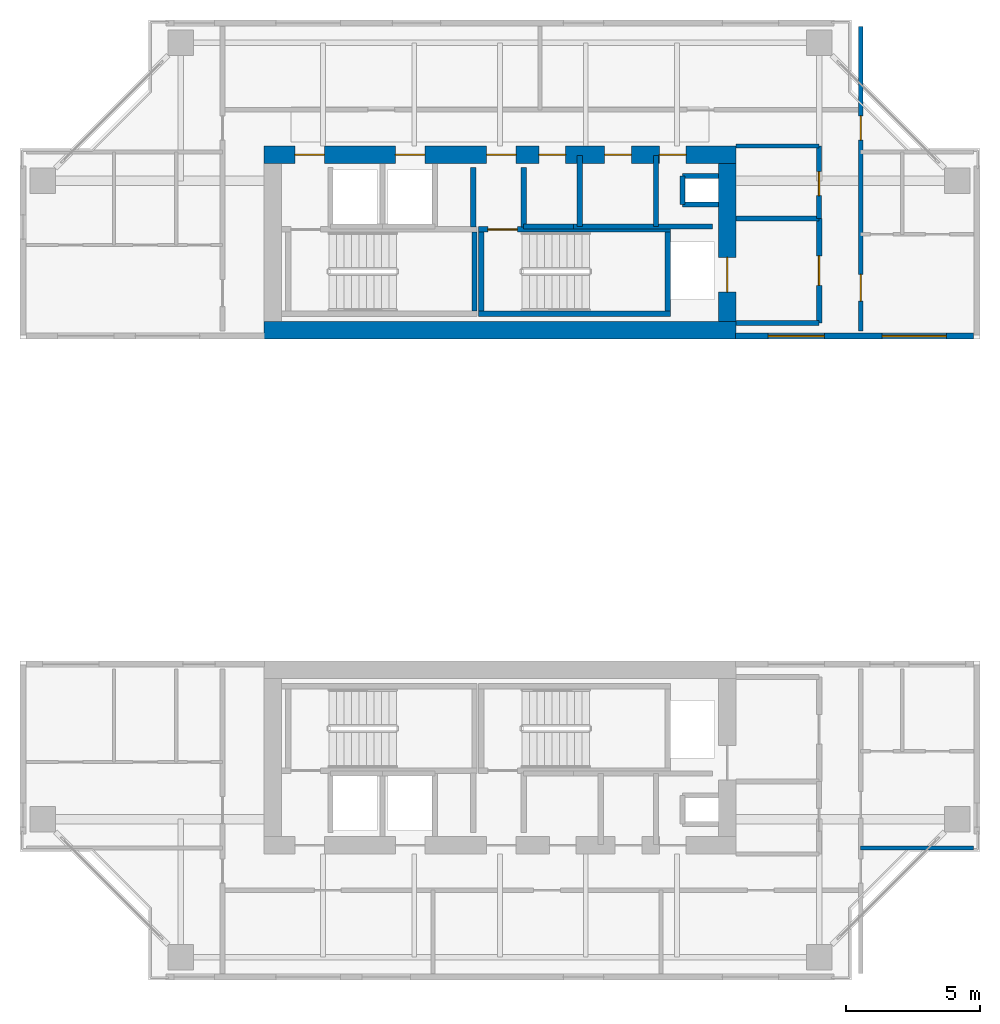
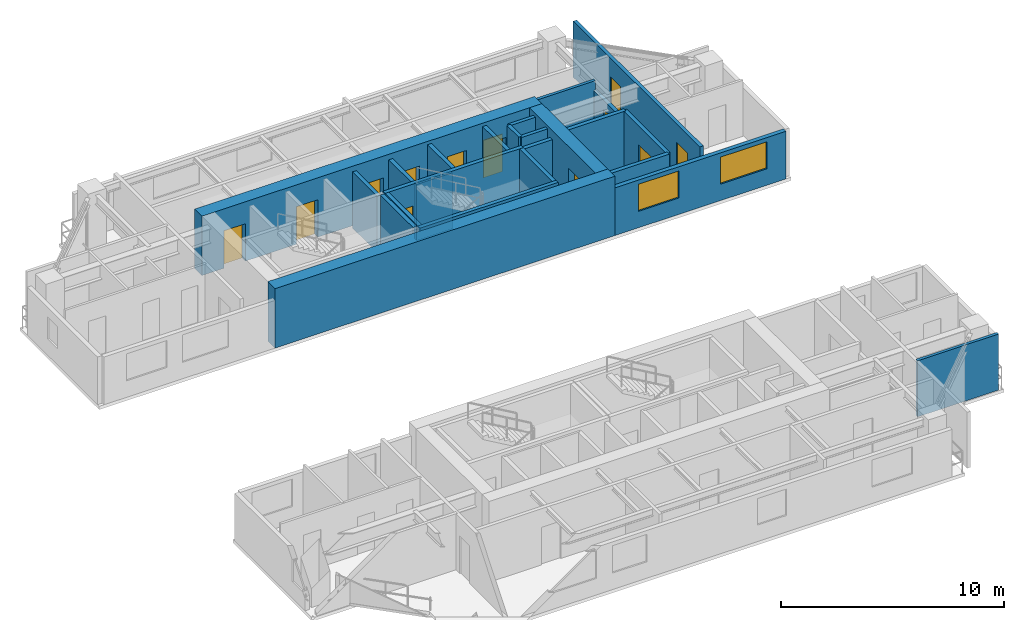
# One storey, part 9 of 12: 25 walls, 12 doors, 2 windows, 14 openings.
"""IFC4 building model written with IfcOpenShell, lengths in metres."""

from ifc_helpers import new_model, si_unit, direction, frame, frame_2d, origin, place, context, subcontext, project, spatial, rectangle, extrude, source, transform, mapped, material, layer, layer_set, type_object, element, fill, save


model = new_model("IFC4")

# Units and contexts
model_context = context("Model", 3, precision=1e-05, world=origin(), true_north=direction((0.0, 1.0)))
body_context = subcontext(model_context, "Body", "Model", "MODEL_VIEW")
ifc_project = project(units=[si_unit("LENGTHUNIT", "METRE"), si_unit("AREAUNIT", "SQUARE_METRE"), si_unit("VOLUMEUNIT", "CUBIC_METRE"), si_unit("PLANEANGLEUNIT", "RADIAN"), si_unit("MASSUNIT", "GRAM", prefix="KILO"), si_unit("THERMODYNAMICTEMPERATUREUNIT", "KELVIN"), si_unit("POWERUNIT", "WATT")], contexts=[model_context])

# Site, building, storey
site_placement = place(None, origin())
site = spatial("IfcSite", under=ifc_project, at=site_placement, CompositionType="ELEMENT")
building_placement = place(site_placement, origin())
building = spatial("IfcBuilding", under=site, at=building_placement, Name="Qiaomeng Ring Towers", CompositionType="ELEMENT")
storey_placement = place(building_placement, frame((0.0, 0.0, 160.0)))
storey = spatial("IfcBuildingStorey", under=building, at=storey_placement, Name="L46", CompositionType="ELEMENT", Elevation=160.0)

# Wall, openings, windows
ifc_material_1 = material(Name="Precast concrete C40", Category="concrete")
ifc_layer_1 = layer(ifc_material_1, 0.219970703125, Name="Precast concrete C40")
ifc_layer_set_1 = layer_set([ifc_layer_1], Name="Precast concrete C40")
wall_type_1 = type_object("IfcWallType", Name="ARC-WL-EW2", PredefinedType="STANDARD", material=ifc_layer_set_1)
wall_1_placement = place(storey_placement, frame((27.780029296875, 29.110107421875, 0.0), z_axis=(0.0, 0.0, 1.0), x_axis=(1.0, 0.0, 0.0)))
wall_1 = element("IfcWall", 1, at=wall_1_placement, inside=storey, type_object=wall_type_1, Name="L46 Portal Wing Wall NWING-E", PredefinedType="STANDARD", context=body_context, shape_type="SweptSolid", body=[
    extrude(rectangle(XDim=8.869873046875, YDim=0.219970703125, at=frame_2d((4.43505859375, 0.0))), origin(), (0.0, 0.0, 1.0), 2.610107421875),
])
opening_1_placement = place(wall_1_placement, frame((1.219970703125, 0.0, 0.89990234375)))
opening_1 = element("IfcOpeningElement", 2, at=opening_1_placement, cuts=wall_1, Name="Opening WN4", PredefinedType="OPENING", context=body_context, shape_type="SweptSolid", body=[
    extrude(rectangle(XDim=2.10009765625, YDim=1.47998046875, at=frame_2d((1.050048828125, 0.739990234375))), frame((0.0, 0.119873046875, 0.0), z_axis=(0.0, -1.0, 0.0), x_axis=(1.0, 0.0, 0.0)), (0.0, 0.0, 1.0), 0.239990234375),
])
opening_2_placement = place(wall_1_placement, frame((5.469970703125, 0.0, 0.89990234375)))
opening_2 = element("IfcOpeningElement", 3, at=opening_2_placement, cuts=wall_1, Name="Opening WN6", PredefinedType="OPENING", context=body_context, shape_type="SweptSolid", body=[
    extrude(rectangle(XDim=2.39990234375, YDim=1.47998046875, at=frame_2d((1.199951171875, 0.739990234375))), frame((0.0, 0.119873046875, 0.0), z_axis=(0.0, -1.0, 0.0), x_axis=(1.0, 0.0, 0.0)), (0.0, 0.0, 1.0), 0.239990234375),
])
ifc_material_2 = material(Name="Low-E dark-grey laminated double glazing", Category="glass")
window_type_1 = type_object("IfcWindowType", Name="ARC-WN-4", PartitioningType="TRIPLE_PANEL_VERTICAL", PredefinedType="WINDOW", material=ifc_material_2)
shared_shape_1 = source(origin(), body_context, "Body", "SweptSolid", [
    extrude(rectangle(XDim=2.10009765625, YDim=1.47998046875, at=frame_2d((1.050048828125, 0.739990234375))), frame((0.0, 0.030029296875, 0.0), z_axis=(0.0, -1.0, 0.0), x_axis=(1.0, 0.0, 0.0)), (0.0, 0.0, 1.0), 0.06005859375),
])
window_1_placement = place(opening_1_placement, origin())
window_1 = element("IfcWindow", 4, at=window_1_placement, inside=storey, type_object=window_type_1, Name="L46 Exterior Window WN4", OverallHeight=1.47998046875, OverallWidth=2.10009765625, PartitioningType="TRIPLE_PANEL_VERTICAL", PredefinedType="WINDOW", context=body_context, shape_type="MappedRepresentation", body=[
    mapped(shared_shape_1, transform((0.0, 0.0, 0.0), x_axis=(1.0, 0.0, 0.0), y_axis=(0.0, 1.0, 0.0), z_axis=(0.0, 0.0, 1.0), scale=1.0)),
])
fill(opening_1, window_1)
window_type_2 = type_object("IfcWindowType", Name="ARC-WN-6", PartitioningType="TRIPLE_PANEL_VERTICAL", PredefinedType="WINDOW", material=ifc_material_2)
shared_shape_2 = source(origin(), body_context, "Body", "SweptSolid", [
    extrude(rectangle(XDim=2.39990234375, YDim=1.47998046875, at=frame_2d((1.199951171875, 0.739990234375))), frame((0.0, 0.030029296875, 0.0), z_axis=(0.0, -1.0, 0.0), x_axis=(1.0, 0.0, 0.0)), (0.0, 0.0, 1.0), 0.06005859375),
])
window_2_placement = place(opening_2_placement, origin())
window_2 = element("IfcWindow", 5, at=window_2_placement, inside=storey, type_object=window_type_2, Name="L46 Exterior Window WN6", OverallHeight=1.47998046875, OverallWidth=2.39990234375, PartitioningType="TRIPLE_PANEL_VERTICAL", PredefinedType="WINDOW", context=body_context, shape_type="MappedRepresentation", body=[
    mapped(shared_shape_2, transform((0.0, 0.0, 0.0), x_axis=(1.0, 0.0, 0.0), y_axis=(0.0, 1.0, 0.0), z_axis=(0.0, 0.0, 1.0), scale=1.0)),
])
fill(opening_2, window_2)

# Walls
ifc_material_3 = material(Name="Autoclaved aerated concrete block", Category="concrete")
ifc_layer_2 = layer(ifc_material_3, 0.199951171875, Name="Autoclaved aerated concrete block")
ifc_layer_set_2 = layer_set([ifc_layer_2], Name="Autoclaved aerated concrete block")
wall_type_2 = type_object("IfcWallType", Name="ARC-WL-PW1", PredefinedType="PARTITIONING", material=ifc_layer_set_2)
for number, where, z_axis, x_axis, name in (
    (6, (27.800048828125, 29.60009765625, 0.0), (0.0, 0.0, 1.0), (1.0, 0.0, 0.0), "L46 Interior Wall PW1"),
    (7, (27.800048828125, 33.5, 0.0), (0.0, 0.0, 1.0), (1.0, 0.0, 0.0), "L46 Interior Wall PW1"),
):
    element("IfcWall", number, at=place(storey_placement, frame(where, z_axis=z_axis, x_axis=x_axis)), inside=storey, type_object=wall_type_2, Name=name, PredefinedType="PARTITIONING", context=body_context, shape_type="SweptSolid", body=[
        extrude(rectangle(XDim=3.099853515625, YDim=0.199951171875, at=frame_2d((1.5498046875, 0.0))), origin(), (0.0, 0.0, 1.0), 3.070068359375),
    ])

# Wall, opening, door
wall_2_placement = place(storey_placement, frame((30.89990234375, 29.60009765625, 0.0), z_axis=(0.0, 0.0, 1.0), x_axis=(0.0, 1.0, 0.0)))
wall_2 = element("IfcWall", 8, at=wall_2_placement, inside=storey, type_object=wall_type_2, Name="L46 Interior Wall PW1", PredefinedType="PARTITIONING", context=body_context, shape_type="SweptSolid", body=[
    extrude(rectangle(XDim=3.89990234375, YDim=0.199951171875, at=frame_2d((1.949951171875, 0.0))), origin(), (0.0, 0.0, 1.0), 3.070068359375),
])
opening_3_placement = place(wall_2_placement, frame((1.39990234375, 0.0, 0.0)))
opening_3 = element("IfcOpeningElement", 9, at=opening_3_placement, cuts=wall_2, Name="Opening FD3", PredefinedType="OPENING", context=body_context, shape_type="SweptSolid", body=[
    extrude(rectangle(XDim=1.10009765625, YDim=2.050048828125, at=frame_2d((0.550048828125, 1.02490234375))), frame((0.0, 0.10986328125, 0.0), z_axis=(0.0, -1.0, 0.0), x_axis=(1.0, 0.0, 0.0)), (0.0, 0.0, 1.0), 0.219970703125),
])
ifc_material_4 = material(Name="Galvanised steel", Category="steel")
door_type_1 = type_object("IfcDoorType", Name="ARC-DR-FD3", OperationType="NOTDEFINED", PredefinedType="DOOR", material=ifc_material_4)
shared_shape_3 = source(origin(), body_context, "Body", "SweptSolid", [
    extrude(rectangle(XDim=1.10009765625, YDim=2.050048828125, at=frame_2d((0.550048828125, 1.02490234375))), frame((0.0, 0.02490234375, 0.0), z_axis=(0.0, -1.0, 0.0), x_axis=(1.0, 0.0, 0.0)), (0.0, 0.0, 1.0), 0.050048828125),
])
door_1_placement = place(opening_3_placement, origin())
door_1 = element("IfcDoor", 10, at=door_1_placement, inside=storey, type_object=door_type_1, Name="L46 North FF Lobby Door", OperationType="SINGLE_SWING_RIGHT", OverallHeight=2.050048828125, OverallWidth=1.10009765625, PredefinedType="DOOR", context=body_context, shape_type="MappedRepresentation", body=[
    mapped(shared_shape_3, transform((0.0, 0.0, 0.0), x_axis=(1.0, 0.0, 0.0), y_axis=(0.0, 1.0, 0.0), z_axis=(0.0, 0.0, 1.0), scale=1.0)),
])
fill(opening_3, door_1)

# Walls
for number, where, z_axis, x_axis, name in (
    (11, (18.0, 33.18994140625, 0.0), (0.0, 0.0, 1.0), (0.0, 1.0, 0.0), "L46 Interior Wall PW1"),
    (12, (19.8798828125, 33.18994140625, 0.0), (0.0, 0.0, 1.0), (0.0, 1.0, 0.0), "L46 Interior Wall PW1"),
):
    element("IfcWall", number, at=place(storey_placement, frame(where, z_axis=z_axis, x_axis=x_axis)), inside=storey, type_object=wall_type_2, Name=name, PredefinedType="PARTITIONING", context=body_context, shape_type="SweptSolid", body=[
        extrude(rectangle(XDim=2.2099609375, YDim=0.199951171875, at=frame_2d((1.10498046875, 0.0))), origin(), (0.0, 0.0, 1.0), 3.070068359375),
    ])
wall_3_placement = place(storey_placement, frame((24.820068359375, 33.199951171875, 0.0), z_axis=(0.0, 0.0, 1.0), x_axis=(0.0, 1.0, 0.0)))
element("IfcWall", 13, at=wall_3_placement, inside=storey, type_object=wall_type_2, Name="L46 Interior Wall PW1", PredefinedType="PARTITIONING", context=body_context, shape_type="SweptSolid", body=[
    extrude(rectangle(XDim=2.650146484375, YDim=0.199951171875, at=frame_2d((1.3251953125, 0.0))), origin(), (0.0, 0.0, 1.0), 3.070068359375),
])
wall_4_placement = place(storey_placement, frame((19.8798828125, 33.199951171875, 0.0), z_axis=(0.0, 0.0, 1.0), x_axis=(1.0, 0.0, 0.0)))
element("IfcWall", 14, at=wall_4_placement, inside=storey, type_object=wall_type_2, Name="L46 Interior Wall PW1", PredefinedType="PARTITIONING", context=body_context, shape_type="SweptSolid", body=[
    extrude(rectangle(XDim=1.8701171875, YDim=0.199951171875, at=frame_2d((0.93505859375, 0.0))), origin(), (0.0, 0.0, 1.0), 3.070068359375),
])
wall_5_placement = place(storey_placement, frame((21.97998046875, 33.199951171875, 0.0), z_axis=(0.0, 0.0, 1.0), x_axis=(0.0, 1.0, 0.0)))
element("IfcWall", 15, at=wall_5_placement, inside=storey, type_object=wall_type_2, Name="L46 Interior Wall PW1", PredefinedType="PARTITIONING", context=body_context, shape_type="SweptSolid", body=[
    extrude(rectangle(XDim=2.650146484375, YDim=0.199951171875, at=frame_2d((1.3251953125, 0.0))), origin(), (0.0, 0.0, 1.0), 3.070068359375),
])
wall_6_placement = place(storey_placement, frame((21.75, 33.199951171875, 0.0), z_axis=(0.0, 0.0, 1.0), x_axis=(1.0, 0.0, 0.0)))
element("IfcWall", 16, at=wall_6_placement, inside=storey, type_object=wall_type_2, Name="L46 Interior Wall PW1", PredefinedType="PARTITIONING", context=body_context, shape_type="SweptSolid", body=[
    extrude(rectangle(XDim=5.169921875, YDim=0.199951171875, at=frame_2d((2.5849609375, 0.0))), origin(), (0.0, 0.0, 1.0), 3.070068359375),
])

# Wall, opening, door
ifc_layer_3 = layer(ifc_material_3, 0.179931640625, Name="Autoclaved aerated concrete block")
ifc_layer_set_3 = layer_set([ifc_layer_3], Name="Autoclaved aerated concrete block")
wall_type_3 = type_object("IfcWallType", Name="ARC-WL-PW2", PredefinedType="PARTITIONING", material=ifc_layer_set_3)
wall_7_placement = place(storey_placement, frame((30.89990234375, 33.5, 0.0), z_axis=(0.0, 0.0, 1.0), x_axis=(0.0, 1.0, 0.0)))
wall_7 = element("IfcWall", 17, at=wall_7_placement, inside=storey, type_object=wall_type_3, Name="L46 Interior Wall PW2", PredefinedType="PARTITIONING", context=body_context, shape_type="SweptSolid", body=[
    extrude(rectangle(XDim=2.699951171875, YDim=0.179931640625, at=frame_2d((1.35009765625, 0.0))), origin(), (0.0, 0.0, 1.0), 2.56494140625),
])
opening_4_placement = place(wall_7_placement, frame((0.85009765625, 0.0, 0.0)))
opening_4 = element("IfcOpeningElement", 18, at=opening_4_placement, cuts=wall_7, Name="Opening ID1", PredefinedType="OPENING", context=body_context, shape_type="SweptSolid", body=[
    extrude(rectangle(XDim=0.89990234375, YDim=2.050048828125, at=frame_2d((0.449951171875, 1.02490234375))), frame((0.0, 0.099853515625, 0.0), z_axis=(0.0, -1.0, 0.0), x_axis=(1.0, 0.0, 0.0)), (0.0, 0.0, 1.0), 0.199951171875),
])
ifc_material_5 = material(Name="Engineered oak timber", Category="wood")
door_type_2 = type_object("IfcDoorType", Name="ARC-DR-ID1", OperationType="NOTDEFINED", PredefinedType="DOOR", material=ifc_material_5)
shared_shape_4 = source(origin(), body_context, "Body", "SweptSolid", [
    extrude(rectangle(XDim=0.89990234375, YDim=2.050048828125, at=frame_2d((0.449951171875, 1.02490234375))), frame((0.0, 0.02490234375, 0.0), z_axis=(0.0, -1.0, 0.0), x_axis=(1.0, 0.0, 0.0)), (0.0, 0.0, 1.0), 0.050048828125),
])
door_2_placement = place(opening_4_placement, origin())
door_2 = element("IfcDoor", 19, at=door_2_placement, inside=storey, type_object=door_type_2, Name="L46 Door ID1", OperationType="SINGLE_SWING_RIGHT", OverallHeight=2.050048828125, OverallWidth=0.89990234375, PredefinedType="DOOR", context=body_context, shape_type="MappedRepresentation", body=[
    mapped(shared_shape_4, transform((0.0, 0.0, 0.0), x_axis=(1.0, 0.0, 0.0), y_axis=(0.0, 1.0, 0.0), z_axis=(0.0, 0.0, 1.0), scale=1.0)),
])
fill(opening_4, door_2)

# Wall, openings, doors
wall_8_placement = place(storey_placement, frame((32.449951171875, 29.300048828125, 0.0), z_axis=(0.0, 0.0, 1.0), x_axis=(0.0, 1.0, 0.0)))
wall_8 = element("IfcWall", 20, at=wall_8_placement, inside=storey, type_object=wall_type_3, Name="L46 Interior Wall PW2", PredefinedType="PARTITIONING", context=body_context, shape_type="SweptSolid", body=[
    extrude(rectangle(XDim=11.349853515625, YDim=0.179931640625, at=frame_2d((5.6748046875, 0.0))), origin(), (0.0, 0.0, 1.0), 3.070068359375),
])
opening_5_placement = place(wall_8_placement, frame((1.114990234375, 0.0, 0.0)))
opening_5 = element("IfcOpeningElement", 21, at=opening_5_placement, cuts=wall_8, Name="Opening FD4", PredefinedType="OPENING", context=body_context, shape_type="SweptSolid", body=[
    extrude(rectangle(XDim=1.0, YDim=2.050048828125, at=frame_2d((0.5, 1.02490234375))), frame((0.0, 0.099853515625, 0.0), z_axis=(0.0, -1.0, 0.0), x_axis=(1.0, 0.0, 0.0)), (0.0, 0.0, 1.0), 0.199951171875),
])
opening_6_placement = place(wall_8_placement, frame((7.1201171875, 0.0, 0.0)))
opening_6 = element("IfcOpeningElement", 22, at=opening_6_placement, cuts=wall_8, Name="Opening ID1", PredefinedType="OPENING", context=body_context, shape_type="SweptSolid", body=[
    extrude(rectangle(XDim=0.89990234375, YDim=2.050048828125, at=frame_2d((0.449951171875, 1.02490234375))), frame((0.0, 0.099853515625, 0.0), z_axis=(0.0, -1.0, 0.0), x_axis=(1.0, 0.0, 0.0)), (0.0, 0.0, 1.0), 0.199951171875),
])
ifc_material_6 = material(Name="Engineered fire-rated oak timber", Category="wood")
door_type_3 = type_object("IfcDoorType", Name="ARC-DR-FD4", OperationType="NOTDEFINED", PredefinedType="DOOR", material=ifc_material_6)
shared_shape_5 = source(origin(), body_context, "Body", "SweptSolid", [
    extrude(rectangle(XDim=1.0, YDim=2.050048828125, at=frame_2d((0.5, 1.02490234375))), frame((0.0, 0.02490234375, 0.0), z_axis=(0.0, -1.0, 0.0), x_axis=(1.0, 0.0, 0.0)), (0.0, 0.0, 1.0), 0.050048828125),
])
door_3_placement = place(opening_5_placement, origin())
door_3 = element("IfcDoor", 23, at=door_3_placement, inside=storey, type_object=door_type_3, Name="L46 Door FD4", OperationType="SINGLE_SWING_LEFT", OverallHeight=2.050048828125, OverallWidth=1.0, PredefinedType="DOOR", context=body_context, shape_type="MappedRepresentation", body=[
    mapped(shared_shape_5, transform((0.0, 0.0, 0.0), x_axis=(1.0, 0.0, 0.0), y_axis=(0.0, 1.0, 0.0), z_axis=(0.0, 0.0, 1.0), scale=1.0)),
])
fill(opening_5, door_3)
door_4_placement = place(opening_6_placement, origin())
door_4 = element("IfcDoor", 24, at=door_4_placement, inside=storey, type_object=door_type_2, Name="L46 Door ID1", OperationType="SINGLE_SWING_RIGHT", OverallHeight=2.050048828125, OverallWidth=0.89990234375, PredefinedType="DOOR", context=body_context, shape_type="MappedRepresentation", body=[
    mapped(shared_shape_4, transform((0.0, 0.0, 0.0), x_axis=(1.0, 0.0, 0.0), y_axis=(0.0, 1.0, 0.0), z_axis=(0.0, 0.0, 1.0), scale=1.0)),
])
fill(opening_6, door_4)

# Walls
ifc_material_7 = material(Name="Gypsum fireboard steel-stud partition", Category="steel")
ifc_layer_4 = layer(ifc_material_7, 0.14990234375, Name="Gypsum fireboard steel-stud partition")
ifc_layer_set_4 = layer_set([ifc_layer_4], Name="Gypsum fireboard steel-stud partition")
wall_type_4 = type_object("IfcWallType", Name="ARC-WL-PW3", PredefinedType="PARTITIONING", material=ifc_layer_set_4)
wall_9_placement = place(storey_placement, frame((27.800048828125, 36.199951171875, 0.0), z_axis=(0.0, 0.0, 1.0), x_axis=(1.0, 0.0, 0.0)))
element("IfcWall", 25, at=wall_9_placement, inside=storey, type_object=wall_type_4, Name="L46 Interior Wall PW3", PredefinedType="PARTITIONING", context=body_context, shape_type="SweptSolid", body=[
    extrude(rectangle(XDim=3.099853515625, YDim=0.14990234375, at=frame_2d((1.5498046875, 0.0))), origin(), (0.0, 0.0, 1.0), 3.070068359375),
])
wall_10_placement = place(storey_placement, frame((32.449951171875, 10.02001953125, 0.0), z_axis=(0.0, 0.0, 1.0), x_axis=(1.0, 0.0, 0.0)))
element("IfcWall", 26, at=wall_10_placement, inside=storey, type_object=wall_type_4, Name="L46 Interior Wall PW3", PredefinedType="PARTITIONING", context=body_context, shape_type="SweptSolid", body=[
    extrude(rectangle(XDim=4.199951171875, YDim=0.14990234375, at=frame_2d((2.10009765625, 0.0))), origin(), (0.0, 0.0, 1.0), 3.070068359375),
])
ifc_material_8 = material(Name="Concrete C40", Category="concrete")
ifc_layer_5 = layer(ifc_material_8, 0.199951171875, Name="Concrete C40")
ifc_layer_set_5 = layer_set([ifc_layer_5], Name="Concrete C40")
wall_type_5 = type_object("IfcWallType", Name="STR-WL-STSHAFT", PredefinedType="SHEAR", material=ifc_layer_set_5)
wall_11_placement = place(storey_placement, frame((25.800048828125, 34.02001953125, 0.0), z_axis=(0.0, 0.0, 1.0), x_axis=(0.0, 1.0, 0.0)))
element("IfcWall", 27, at=wall_11_placement, inside=storey, type_object=wall_type_5, Name="L46 Riser RSR1 West Shaft Wall N", PredefinedType="SHEAR", context=body_context, shape_type="SweptSolid", body=[
    extrude(rectangle(XDim=1.06005859375, YDim=0.179931640625, at=frame_2d((0.530029296875, 0.0))), origin(), (0.0, 0.0, 1.0), 3.070068359375),
])
for number, where, z_axis, x_axis, name in (
    (28, (25.800048828125, 35.080078125, 0.0), (0.0, 0.0, 1.0), (1.0, 0.0, 0.0), "L46 Riser RSR1 North Shaft Wall N"),
    (29, (25.800048828125, 34.02001953125, 0.0), (0.0, 0.0, 1.0), (1.0, 0.0, 0.0), "L46 Riser RSR1 South Shaft Wall N"),
):
    element("IfcWall", number, at=place(storey_placement, frame(where, z_axis=z_axis, x_axis=x_axis)), inside=storey, type_object=wall_type_5, Name=name, PredefinedType="SHEAR", context=body_context, shape_type="SweptSolid", body=[
        extrude(rectangle(XDim=1.349853515625, YDim=0.179931640625, at=frame_2d((0.6748046875, 0.0))), origin(), (0.0, 0.0, 1.0), 3.070068359375),
    ])
wall_12_placement = place(storey_placement, frame((18.050048828125, 30.050048828125, 0.0), z_axis=(0.0, 0.0, 1.0), x_axis=(0.0, 1.0, 0.0)))
element("IfcWall", 30, at=wall_12_placement, inside=storey, type_object=wall_type_5, Name="L46 Stair ST1 East Shaft Shear Wall", PredefinedType="SHEAR", context=body_context, shape_type="SweptSolid", body=[
    extrude(rectangle(XDim=2.93994140625, YDim=0.199951171875, at=frame_2d((1.469970703125, 0.0))), origin(), (0.0, 0.0, 1.0), 3.25),
])
wall_13_placement = place(storey_placement, frame((18.199951171875, 29.949951171875, 0.0), z_axis=(0.0, 0.0, 1.0), x_axis=(1.0, 0.0, 0.0)))
element("IfcWall", 31, at=wall_13_placement, inside=storey, type_object=wall_type_5, Name="L46 Stair ST2 South Shaft Shear Wall", PredefinedType="SHEAR", context=body_context, shape_type="SweptSolid", body=[
    extrude(rectangle(XDim=7.150146484375, YDim=0.199951171875, at=frame_2d((3.5751953125, 0.0))), origin(), (0.0, 0.0, 1.0), 3.25),
])

# Wall, opening, door
wall_14_placement = place(storey_placement, frame((18.199951171875, 33.090087890625, 0.0), z_axis=(0.0, 0.0, 1.0), x_axis=(1.0, 0.0, 0.0)))
wall_14 = element("IfcWall", 32, at=wall_14_placement, inside=storey, type_object=wall_type_5, Name="L46 Stair ST2 North Shaft Shear Wall", PredefinedType="SHEAR", context=body_context, shape_type="SweptSolid", body=[
    extrude(rectangle(XDim=7.150146484375, YDim=0.199951171875, at=frame_2d((3.5751953125, 0.0))), origin(), (0.0, 0.0, 1.0), 3.25),
])
opening_7_placement = place(wall_14_placement, frame((0.35009765625, 0.0, 0.0)))
opening_7 = element("IfcOpeningElement", 33, at=opening_7_placement, cuts=wall_14, Name="Opening FD3", PredefinedType="OPENING", context=body_context, shape_type="SweptSolid", body=[
    extrude(rectangle(XDim=1.10009765625, YDim=2.050048828125, at=frame_2d((0.550048828125, 1.02490234375))), frame((0.0, 0.10986328125, 0.0), z_axis=(0.0, -1.0, 0.0), x_axis=(1.0, 0.0, 0.0)), (0.0, 0.0, 1.0), 0.219970703125),
])
door_5_placement = place(opening_7_placement, origin())
door_5 = element("IfcDoor", 34, at=door_5_placement, inside=storey, type_object=door_type_1, Name="L46 Stair ST2 Exit Door", OperationType="SINGLE_SWING_LEFT", OverallHeight=2.050048828125, OverallWidth=1.10009765625, PredefinedType="DOOR", context=body_context, shape_type="MappedRepresentation", body=[
    mapped(shared_shape_3, transform((0.0, 0.0, 0.0), x_axis=(1.0, 0.0, 0.0), y_axis=(0.0, 1.0, 0.0), z_axis=(0.0, 0.0, 1.0), scale=1.0)),
])
fill(opening_7, door_5)

# Walls
for number, where, z_axis, x_axis, name in (
    (35, (18.300048828125, 30.050048828125, 0.0), (0.0, 0.0, 1.0), (0.0, 1.0, 0.0), "L46 Stair ST2 West Shaft Shear Wall"),
    (36, (25.25, 30.050048828125, 0.0), (0.0, 0.0, 1.0), (0.0, 1.0, 0.0), "L46 Stair ST2 East Shaft Shear Wall"),
):
    element("IfcWall", number, at=place(storey_placement, frame(where, z_axis=z_axis, x_axis=x_axis)), inside=storey, type_object=wall_type_5, Name=name, PredefinedType="SHEAR", context=body_context, shape_type="SweptSolid", body=[
        extrude(rectangle(XDim=2.93994140625, YDim=0.199951171875, at=frame_2d((1.469970703125, 0.0))), origin(), (0.0, 0.0, 1.0), 3.25),
    ])
ifc_material_9 = material(Name="Concrete C50", Category="concrete")
ifc_layer_6 = layer(ifc_material_9, 0.64990234375, Name="Concrete C50")
ifc_layer_set_6 = layer_set([ifc_layer_6], Name="Concrete C50")
wall_type_6 = type_object("IfcWallType", Name="STR-WL-SW2B", PredefinedType="SHEAR", material=ifc_layer_set_6)
wall_15_placement = place(storey_placement, frame((10.199951171875, 29.324951171875, 0.0), z_axis=(0.0, 0.0, 1.0), x_axis=(1.0, 0.0, 0.0)))
element("IfcWall", 37, at=wall_15_placement, inside=storey, type_object=wall_type_6, Name="L46 T1NC south core shear wall", PredefinedType="SHEAR", context=body_context, shape_type="SweptSolid", body=[
    extrude(rectangle(XDim=17.60009765625, YDim=0.64990234375, at=frame_2d((8.800048828125, 0.0))), origin(), (0.0, 0.0, 1.0), 3.25),
])

# Wall, openings, doors
wall_16_placement = place(storey_placement, frame((10.199951171875, 35.875, 0.0), z_axis=(0.0, 0.0, 1.0), x_axis=(1.0, 0.0, 0.0)))
wall_16 = element("IfcWall", 38, at=wall_16_placement, inside=storey, type_object=wall_type_6, Name="L46 T1NC north core shear wall", PredefinedType="SHEAR", context=body_context, shape_type="SweptSolid", body=[
    extrude(rectangle(XDim=17.60009765625, YDim=0.64990234375, at=frame_2d((8.800048828125, 0.0))), origin(), (0.0, 0.0, 1.0), 3.25),
])
opening_8_placement = place(wall_16_placement, frame((1.14990234375, 0.0, 0.0)))
opening_8 = element("IfcOpeningElement", 39, at=opening_8_placement, cuts=wall_16, Name="Opening FD3", PredefinedType="OPENING", context=body_context, shape_type="SweptSolid", body=[
    extrude(rectangle(XDim=1.10009765625, YDim=2.050048828125, at=frame_2d((0.550048828125, 1.02490234375))), frame((0.0, 0.3349609375, 0.0), z_axis=(0.0, -1.0, 0.0), x_axis=(1.0, 0.0, 0.0)), (0.0, 0.0, 1.0), 0.669921875),
])
opening_9_placement = place(wall_16_placement, frame((8.300048828125, 0.0, 0.0)))
opening_9 = element("IfcOpeningElement", 40, at=opening_9_placement, cuts=wall_16, Name="Opening FD3", PredefinedType="OPENING", context=body_context, shape_type="SweptSolid", body=[
    extrude(rectangle(XDim=1.10009765625, YDim=2.050048828125, at=frame_2d((0.550048828125, 1.02490234375))), frame((0.0, 0.3349609375, 0.0), z_axis=(0.0, -1.0, 0.0), x_axis=(1.0, 0.0, 0.0)), (0.0, 0.0, 1.0), 0.669921875),
])
opening_10_placement = place(wall_16_placement, frame((4.89990234375, 0.0, 0.0)))
opening_10 = element("IfcOpeningElement", 41, at=opening_10_placement, cuts=wall_16, Name="Opening LD1", PredefinedType="OPENING", context=body_context, shape_type="SweptSolid", body=[
    extrude(rectangle(XDim=1.10009765625, YDim=2.050048828125, at=frame_2d((0.550048828125, 1.02490234375))), frame((0.0, 0.3349609375, 0.0), z_axis=(0.0, -1.0, 0.0), x_axis=(1.0, 0.0, 0.0)), (0.0, 0.0, 1.0), 0.669921875),
])
opening_11_placement = place(wall_16_placement, frame((14.739990234375, 0.0, 0.0)))
opening_11 = element("IfcOpeningElement", 42, at=opening_11_placement, cuts=wall_16, Name="Opening FD1", PredefinedType="OPENING", context=body_context, shape_type="SweptSolid", body=[
    extrude(rectangle(XDim=1.0, YDim=2.050048828125, at=frame_2d((0.5, 1.02490234375))), frame((0.0, 0.3349609375, 0.0), z_axis=(0.0, -1.0, 0.0), x_axis=(1.0, 0.0, 0.0)), (0.0, 0.0, 1.0), 0.669921875),
])
opening_12_placement = place(wall_16_placement, frame((10.25, 0.0, 0.0)))
opening_12 = element("IfcOpeningElement", 43, at=opening_12_placement, cuts=wall_16, Name="Opening FD1", PredefinedType="OPENING", context=body_context, shape_type="SweptSolid", body=[
    extrude(rectangle(XDim=1.0, YDim=2.050048828125, at=frame_2d((0.5, 1.02490234375))), frame((0.0, 0.3349609375, 0.0), z_axis=(0.0, -1.0, 0.0), x_axis=(1.0, 0.0, 0.0)), (0.0, 0.0, 1.0), 0.669921875),
])
opening_13_placement = place(wall_16_placement, frame((12.699951171875, 0.0, 0.0)))
opening_13 = element("IfcOpeningElement", 44, at=opening_13_placement, cuts=wall_16, Name="Opening FD1", PredefinedType="OPENING", context=body_context, shape_type="SweptSolid", body=[
    extrude(rectangle(XDim=1.0, YDim=2.050048828125, at=frame_2d((0.5, 1.02490234375))), frame((0.0, 0.3349609375, 0.0), z_axis=(0.0, -1.0, 0.0), x_axis=(1.0, 0.0, 0.0)), (0.0, 0.0, 1.0), 0.669921875),
])
door_6_placement = place(opening_8_placement, origin())
door_6 = element("IfcDoor", 45, at=door_6_placement, inside=storey, type_object=door_type_1, Name="L46 Stair ST1 Lobby Door", OperationType="SINGLE_SWING_RIGHT", OverallHeight=2.050048828125, OverallWidth=1.10009765625, PredefinedType="DOOR", context=body_context, shape_type="MappedRepresentation", body=[
    mapped(shared_shape_3, transform((0.0, 0.0, 0.0), x_axis=(1.0, 0.0, 0.0), y_axis=(0.0, 1.0, 0.0), z_axis=(0.0, 0.0, 1.0), scale=1.0)),
])
fill(opening_8, door_6)
door_7_placement = place(opening_9_placement, origin())
door_7 = element("IfcDoor", 46, at=door_7_placement, inside=storey, type_object=door_type_1, Name="L46 Stair ST2 Lobby Door", OperationType="SINGLE_SWING_RIGHT", OverallHeight=2.050048828125, OverallWidth=1.10009765625, PredefinedType="DOOR", context=body_context, shape_type="MappedRepresentation", body=[
    mapped(shared_shape_3, transform((0.0, 0.0, 0.0), x_axis=(1.0, 0.0, 0.0), y_axis=(0.0, 1.0, 0.0), z_axis=(0.0, 0.0, 1.0), scale=1.0)),
])
fill(opening_9, door_7)
ifc_material_10 = material(Name="Stainless steel 316", Category="steel")
door_type_4 = type_object("IfcDoorType", Name="ARC-DR-LD1", OperationType="NOTDEFINED", PredefinedType="DOOR", material=ifc_material_10)
door_8_placement = place(opening_10_placement, origin())
door_8 = element("IfcDoor", 47, at=door_8_placement, inside=storey, type_object=door_type_4, Name="L46 Mid-Zone Lift LP3 Landing Door", OperationType="SLIDING_TO_LEFT", OverallHeight=2.050048828125, OverallWidth=1.10009765625, PredefinedType="DOOR", context=body_context, shape_type="MappedRepresentation", body=[
    mapped(shared_shape_3, transform((0.0, 0.0, 0.0), x_axis=(1.0, 0.0, 0.0), y_axis=(0.0, 1.0, 0.0), z_axis=(0.0, 0.0, 1.0), scale=1.0)),
])
fill(opening_10, door_8)
door_type_5 = type_object("IfcDoorType", Name="ARC-DR-FD1", OperationType="NOTDEFINED", PredefinedType="DOOR", material=ifc_material_4)
door_9_placement = place(opening_11_placement, origin())
door_9 = element("IfcDoor", 48, at=door_9_placement, inside=storey, type_object=door_type_5, Name="L46 North Electrical Riser Door", OperationType="SINGLE_SWING_RIGHT", OverallHeight=2.050048828125, OverallWidth=1.0, PredefinedType="DOOR", context=body_context, shape_type="MappedRepresentation", body=[
    mapped(shared_shape_5, transform((0.0, 0.0, 0.0), x_axis=(1.0, 0.0, 0.0), y_axis=(0.0, 1.0, 0.0), z_axis=(0.0, 0.0, 1.0), scale=1.0)),
])
fill(opening_11, door_9)
door_10_placement = place(opening_12_placement, origin())
door_10 = element("IfcDoor", 49, at=door_10_placement, inside=storey, type_object=door_type_5, Name="L46 North Cleaners Store Door", OperationType="SINGLE_SWING_RIGHT", OverallHeight=2.050048828125, OverallWidth=1.0, PredefinedType="DOOR", context=body_context, shape_type="MappedRepresentation", body=[
    mapped(shared_shape_5, transform((0.0, 0.0, 0.0), x_axis=(1.0, 0.0, 0.0), y_axis=(0.0, 1.0, 0.0), z_axis=(0.0, 0.0, 1.0), scale=1.0)),
])
fill(opening_12, door_10)
door_11_placement = place(opening_13_placement, origin())
door_11 = element("IfcDoor", 50, at=door_11_placement, inside=storey, type_object=door_type_5, Name="L46 North Facilities Management Office Door", OperationType="SINGLE_SWING_LEFT", OverallHeight=2.050048828125, OverallWidth=1.0, PredefinedType="DOOR", context=body_context, shape_type="MappedRepresentation", body=[
    mapped(shared_shape_5, transform((0.0, 0.0, 0.0), x_axis=(1.0, 0.0, 0.0), y_axis=(0.0, 1.0, 0.0), z_axis=(0.0, 0.0, 1.0), scale=1.0)),
])
fill(opening_13, door_11)

# Wall, opening, door
wall_17_placement = place(storey_placement, frame((27.47509765625, 29.64990234375, 0.0), z_axis=(0.0, 0.0, 1.0), x_axis=(0.0, 1.0, 0.0)))
wall_17 = element("IfcWall", 51, at=wall_17_placement, inside=storey, type_object=wall_type_6, Name="L46 T1NC east core shear wall", PredefinedType="SHEAR", context=body_context, shape_type="SweptSolid", body=[
    extrude(rectangle(XDim=5.900146484375, YDim=0.64990234375, at=frame_2d((2.9501953125, 0.0))), origin(), (0.0, 0.0, 1.0), 3.25),
])
opening_14_placement = place(wall_17_placement, frame((1.10009765625, 0.0, 0.0)))
opening_14 = element("IfcOpeningElement", 52, at=opening_14_placement, cuts=wall_17, Name="Opening LD2", PredefinedType="OPENING", context=body_context, shape_type="SweptSolid", body=[
    extrude(rectangle(XDim=1.300048828125, YDim=2.050048828125, at=frame_2d((0.64990234375, 1.02490234375))), frame((0.0, 0.3349609375, 0.0), z_axis=(0.0, -1.0, 0.0), x_axis=(1.0, 0.0, 0.0)), (0.0, 0.0, 1.0), 0.669921875),
])
door_type_6 = type_object("IfcDoorType", Name="ARC-DR-LD2", OperationType="NOTDEFINED", PredefinedType="DOOR", material=ifc_material_10)
shared_shape_6 = source(origin(), body_context, "Body", "SweptSolid", [
    extrude(rectangle(XDim=1.300048828125, YDim=2.050048828125, at=frame_2d((0.64990234375, 1.02490234375))), frame((0.0, 0.02490234375, 0.0), z_axis=(0.0, -1.0, 0.0), x_axis=(1.0, 0.0, 0.0)), (0.0, 0.0, 1.0), 0.050048828125),
])
door_12_placement = place(opening_14_placement, origin())
door_12 = element("IfcDoor", 53, at=door_12_placement, inside=storey, type_object=door_type_6, Name="L46 Firefighting Lift FL1 Landing Door", OperationType="SLIDING_TO_LEFT", OverallHeight=2.050048828125, OverallWidth=1.300048828125, PredefinedType="DOOR", context=body_context, shape_type="MappedRepresentation", body=[
    mapped(shared_shape_6, transform((0.0, 0.0, 0.0), x_axis=(1.0, 0.0, 0.0), y_axis=(0.0, 1.0, 0.0), z_axis=(0.0, 0.0, 1.0), scale=1.0)),
])
fill(opening_14, door_12)

save(model, "model.ifc")
